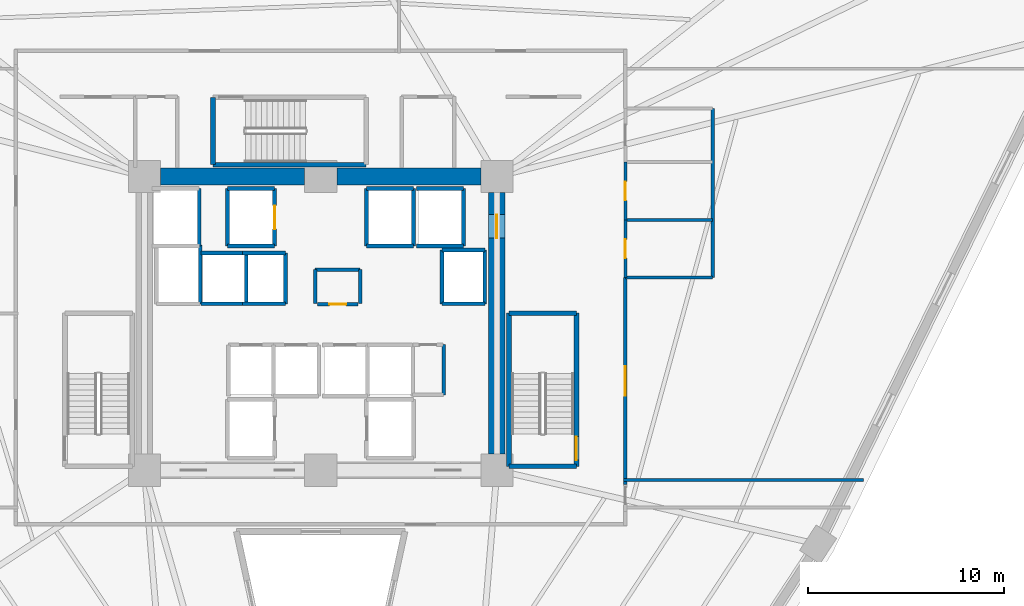
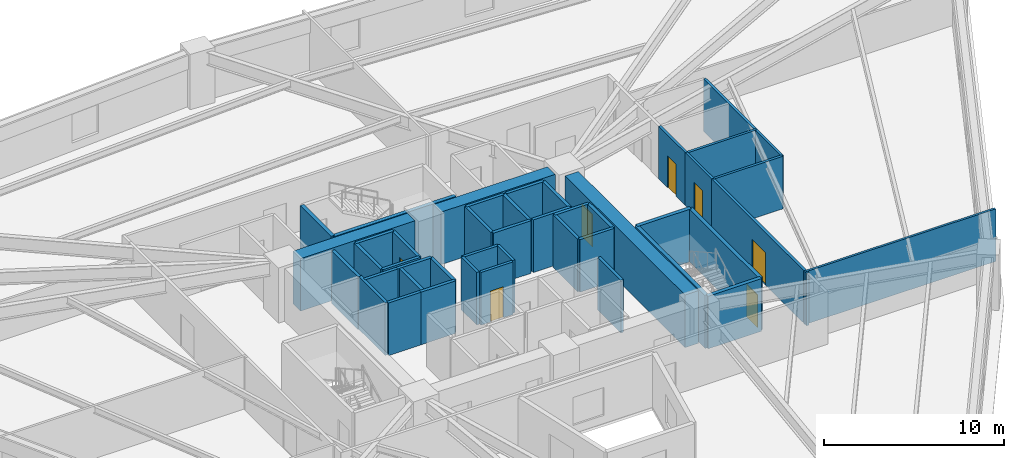
# One storey, part 5 of 8: 44 walls, 7 doors, 7 openings.
"""IFC4 building model written with IfcOpenShell, lengths in metres."""

import ifcopenshell
import ifcopenshell.guid

model = None  # the IFC model being written
_history = None  # IfcOwnerHistory: only IFC2X3 demands one
_inside = {}  # id of a spatial element -> (the spatial element, [elements in it])
_under = {}  # id of a project, library or spatial element -> (it, [spatial elements below it])
_declared = {}  # id of a project -> (the project, [libraries it declares])
_typed = {}  # id of a type object -> (the type object, [elements of that type])
_made_of = {}  # id of a material, layer set ... -> (it, [elements and type objects made of it])


def new_model(schema):
    """Start an empty IFC model of exactly this schema.

    Asked for "IFC4X3", IfcOpenShell would pick the latest addendum, in which some entities
    have other attributes; the version numbers below select the first issue.
    IFC2X3 requires an IfcOwnerHistory on every rooted entity: one is made here for all.
    """
    global model, _history
    if schema == "IFC4X3":
        model = ifcopenshell.file(schema_version=(4, 3, 0, 0))
    else:
        model = ifcopenshell.file(schema=schema)
    _inside.clear()
    _under.clear()
    _declared.clear()
    _typed.clear()
    _made_of.clear()
    _history = None
    if model.schema == "IFC2X3":
        org = make("IfcOrganization", Name="unknown")
        user = make(
            "IfcPersonAndOrganization",
            ThePerson=make("IfcPerson", FamilyName="unknown"),
            TheOrganization=org,
        )
        app = make(
            "IfcApplication",
            ApplicationDeveloper=org,
            Version="unknown",
            ApplicationFullName="unknown",
            ApplicationIdentifier="unknown",
        )
        _history = make(
            "IfcOwnerHistory",
            OwningUser=user,
            OwningApplication=app,
            ChangeAction="ADDED",
            CreationDate=0,
        )
    return model


def make(cls, **values):
    """One entity of the class cls with the attributes given. An attribute that is None is left unset."""
    return model.create_entity(
        cls, **{name: value for name, value in values.items() if value is not None}
    )


def rooted(cls, **values):
    """An entity with a GlobalId (a new one), such as an element, a storey or a relation."""
    return make(cls, GlobalId=ifcopenshell.guid.new(), OwnerHistory=_history, **values)


def si_unit(unit_type, name, prefix=None):
    """IfcSIUnit, for example si_unit("LENGTHUNIT", "METRE", prefix="MILLI")."""
    return make("IfcSIUnit", UnitType=unit_type, Prefix=prefix, Name=name)


def assignment(units):
    """IfcUnitAssignment: the units of a project."""
    return None if units is None else make("IfcUnitAssignment", Units=units)


def point(xyz):
    """IfcCartesianPoint."""
    return None if xyz is None else make("IfcCartesianPoint", Coordinates=xyz)


def direction(xyz):
    """IfcDirection."""
    return None if xyz is None else make("IfcDirection", DirectionRatios=xyz)


def frame(location, z_axis=None, x_axis=None):
    """IfcAxis2Placement3D, a coordinate frame: its origin and axes. An axis left out is left unset."""
    return make(
        "IfcAxis2Placement3D",
        Location=point(location),
        Axis=direction(z_axis),
        RefDirection=direction(x_axis),
    )


def frame_2d(location, x_axis=None):
    """IfcAxis2Placement2D, a coordinate frame in the plane: its origin and x axis."""
    return make(
        "IfcAxis2Placement2D", Location=point(location), RefDirection=direction(x_axis)
    )


def origin():
    """The frame at (0, 0, 0) with its axes left unset."""
    return frame((0.0, 0.0, 0.0))


def place(relative_to, where):
    """IfcLocalPlacement: puts the frame where relative to a parent placement (None: the world)."""
    return make(
        "IfcLocalPlacement", PlacementRelTo=relative_to, RelativePlacement=where
    )


def context(
    kind, dimensions, precision=None, world=None, true_north=None, identifier=None
):
    """IfcGeometricRepresentationContext, for example the 3D "Model" context."""
    return make(
        "IfcGeometricRepresentationContext",
        ContextIdentifier=identifier,
        ContextType=kind,
        CoordinateSpaceDimension=dimensions,
        Precision=precision,
        WorldCoordinateSystem=world,
        TrueNorth=true_north,
    )


def subcontext(parent, identifier, kind, view, scale=None):
    """IfcGeometricRepresentationSubContext, for example "Body" below "Model"."""
    return make(
        "IfcGeometricRepresentationSubContext",
        ContextIdentifier=identifier,
        ContextType=kind,
        ParentContext=parent,
        TargetScale=scale,
        TargetView=view,
    )


def project(units=None, contexts=None):
    """IfcProject with its units and contexts."""
    return rooted(
        "IfcProject",
        Name="project",
        RepresentationContexts=contexts,
        UnitsInContext=assignment(units),
    )


def spatial(cls, under=None, at=None, **own):
    """A site, building, storey or space (cls), placed at a placement, below another one or the project."""
    s = rooted(cls, ObjectPlacement=at, **own)
    if under is not None:
        _under.setdefault(under.id(), (under, []))[1].append(s)
    return s


def profile(cls, at=None, kind="AREA", **sizes):
    """A parametric profile (cls). Its sizes go by their IFC names, for example OverallWidth=200.0."""
    return make(cls, ProfileType=kind, Position=at, **sizes)


def rectangle(**sizes):
    """IfcRectangleProfileDef."""
    return profile("IfcRectangleProfileDef", **sizes)


def extrude(swept, where, along, depth):
    """IfcExtrudedAreaSolid: the profile swept, set in the frame where, extruded along a direction by depth."""
    return make(
        "IfcExtrudedAreaSolid",
        SweptArea=swept,
        Position=where,
        ExtrudedDirection=direction(along),
        Depth=depth,
    )


def shape(context_of_items, identifier, shape_type, items):
    """IfcShapeRepresentation: the items that make up one representation, for example the "Body"."""
    return make(
        "IfcShapeRepresentation",
        ContextOfItems=context_of_items,
        RepresentationIdentifier=identifier,
        RepresentationType=shape_type,
        Items=items,
    )


def source(mapping_origin, context_of_items, identifier, shape_type, items):
    """IfcRepresentationMap: a shape defined once, which mapped items show again and again."""
    return make(
        "IfcRepresentationMap",
        MappingOrigin=mapping_origin,
        MappedRepresentation=shape(context_of_items, identifier, shape_type, items),
    )


def transform(
    local_origin,
    x_axis=None,
    y_axis=None,
    z_axis=None,
    scale=None,
    scale2=None,
    scale3=None,
    uniform=True,
):
    """IfcCartesianTransformationOperator3D, or its non-uniform kind. x_axis, y_axis, z_axis: its Axis1, 2, 3."""
    if uniform:
        return make(
            "IfcCartesianTransformationOperator3D",
            Axis1=direction(x_axis),
            Axis2=direction(y_axis),
            LocalOrigin=point(local_origin),
            Scale=scale,
            Axis3=direction(z_axis),
        )
    return make(
        "IfcCartesianTransformationOperator3DnonUniform",
        Axis1=direction(x_axis),
        Axis2=direction(y_axis),
        LocalOrigin=point(local_origin),
        Scale=scale,
        Axis3=direction(z_axis),
        Scale2=scale2,
        Scale3=scale3,
    )


def mapped(mapping_source, mapping_target):
    """IfcMappedItem: shows the shape of a source again, moved by a transform."""
    return make(
        "IfcMappedItem", MappingSource=mapping_source, MappingTarget=mapping_target
    )


def material(Name=None, Category=None):
    """IfcMaterial."""
    return make("IfcMaterial", Name=Name, Category=Category)


def layer(
    of_material, thickness, ventilated=None, Name=None, Category=None, Priority=None
):
    """IfcMaterialLayer: one layer of a wall or slab, of a material (None: an air gap)."""
    return make(
        "IfcMaterialLayer",
        Material=of_material,
        LayerThickness=thickness,
        IsVentilated=ventilated,
        Name=Name,
        Category=Category,
        Priority=Priority,
    )


def layer_set(layers, Name=None):
    """IfcMaterialLayerSet."""
    return make("IfcMaterialLayerSet", MaterialLayers=layers, LayerSetName=Name)


def made_of(thing, what):
    """Note that an element or type object is made of a material, layer set ...; save() writes the relation."""
    if what is not None:
        _made_of.setdefault(what.id(), (what, []))[1].append(thing)
    return thing


def type_object(cls, material=None, **own):
    """A type object (cls), such as IfcWallType, which elements share."""
    return made_of(rooted(cls, **own), material)


def element(
    cls,
    number,
    at=None,
    inside=None,
    cuts=None,
    type_object=None,
    material=None,
    context=None,
    identifier="Body",
    shape_type=None,
    held_by="IfcProductDefinitionShape",
    body=None,
    shapes=None,
    **own,
):
    """One element of the class cls, such as IfcWall. Its Tag is "e" and its number.

    at: its placement. inside: the storey or other place that contains it. cuts: it is an
    opening in that element (IfcRelVoidsElement). A single representation is given by context,
    identifier, shape_type and body (its items); several are given by shapes. held_by: the class
    of the entity that holds the representations. save() writes the other relations.
    """
    e = rooted(cls, Tag="e%d" % number, ObjectPlacement=at, **own)
    if body is not None:
        shapes = [shape(context, identifier, shape_type, body)]
    if shapes is not None:
        e.Representation = make(held_by, Representations=shapes)
    if inside is not None:
        _inside.setdefault(inside.id(), (inside, []))[1].append(e)
    if cuts is not None:
        rooted(
            "IfcRelVoidsElement", RelatingBuildingElement=cuts, RelatedOpeningElement=e
        )
    if type_object is not None:
        _typed.setdefault(type_object.id(), (type_object, []))[1].append(e)
    return made_of(e, material)


def fill(opening, filler):
    """IfcRelFillsElement: the door or window that sits in an opening."""
    return rooted(
        "IfcRelFillsElement",
        RelatingOpeningElement=opening,
        RelatedBuildingElement=filler,
    )


def aggregate(whole, parts):
    """IfcRelAggregates: a whole, such as a stair, and the parts it consists of."""
    return rooted("IfcRelAggregates", RelatingObject=whole, RelatedObjects=parts)


def save(model, path):
    """Write the relations noted so far, then the file.

    IfcRelAggregates (storeys below a building ...), IfcRelContainedInSpatialStructure (elements
    in a storey), IfcRelDefinesByType, IfcRelAssociatesMaterial and IfcRelDeclares: one each for
    every whole, place, type object, material and project.
    """
    for whole, parts in _under.values():
        aggregate(whole, parts)
    for where, things in _inside.values():
        rooted(
            "IfcRelContainedInSpatialStructure",
            RelatedElements=things,
            RelatingStructure=where,
        )
    for kind, things in _typed.values():
        rooted("IfcRelDefinesByType", RelatedObjects=things, RelatingType=kind)
    for what, things in _made_of.values():
        rooted("IfcRelAssociatesMaterial", RelatedObjects=things, RelatingMaterial=what)
    for by, libraries in _declared.values():
        rooted("IfcRelDeclares", RelatingContext=by, RelatedDefinitions=libraries)
    model.write(path)


model = new_model("IFC4")

# Units and contexts
model_context = context("Model", 3, precision=1e-05, world=origin(), true_north=direction((0.0, 1.0)))
body_context = subcontext(model_context, "Body", "Model", "MODEL_VIEW")
ifc_project = project(units=[si_unit("LENGTHUNIT", "METRE"), si_unit("AREAUNIT", "SQUARE_METRE"), si_unit("VOLUMEUNIT", "CUBIC_METRE"), si_unit("PLANEANGLEUNIT", "RADIAN"), si_unit("MASSUNIT", "GRAM", prefix="KILO")], contexts=[model_context])

# Site, building, storey
site_placement = place(None, origin())
site = spatial("IfcSite", under=ifc_project, at=site_placement, CompositionType="ELEMENT")
building_placement = place(site_placement, origin())
building = spatial("IfcBuilding", under=site, at=building_placement, Name="Liaohun Quay Tower", CompositionType="ELEMENT")
storey_placement = place(building_placement, frame((0.0, 0.0, 66.75)))
storey = spatial("IfcBuildingStorey", under=building, at=storey_placement, Name="L17", CompositionType="ELEMENT", Elevation=66.75)

# Walls
ifc_material_1 = material(Name="Concrete C60", Category="concrete")
ifc_layer_1 = layer(ifc_material_1, 0.85009765625, Name="Concrete C60", Category="concrete")
ifc_layer_set_1 = layer_set([ifc_layer_1], Name="Concrete C60")
wall_type_1 = type_object("IfcWallType", Name="WAL-COR-Z1", PredefinedType="SHEAR", material=ifc_layer_set_1)
for number, where, z_axis, x_axis, name in (
    (1, (51.824951171875, 61.5, 0.0), (0.0, 0.0, 1.0), (1.0, 0.0, 0.0), "L17 Central Core Shear Wall N-W"),
    (2, (60.824951171875, 61.5, 0.0), (0.0, 0.0, 1.0), (1.0, 0.0, 0.0), "L17 Central Core Shear Wall N-E"),
):
    element("IfcWall", number, at=place(storey_placement, frame(where, z_axis=z_axis, x_axis=x_axis)), inside=storey, type_object=wall_type_1, Name=name, PredefinedType="SHEAR", context=body_context, shape_type="SweptSolid", body=[
        extrude(rectangle(XDim=7.35009765625, YDim=0.85009765625, at=frame_2d((3.675048828125, 0.0))), origin(), (0.0, 0.0, 1.0), 3.570068359375),
    ])

# Wall, opening, door
wall_1_placement = place(storey_placement, frame((69.0, 60.675048828125, 0.0), z_axis=(0.0, 0.0, 1.0), x_axis=(0.0, -1.0, 0.0)))
wall_1 = element("IfcWall", 3, at=wall_1_placement, inside=storey, type_object=wall_type_1, Name="L17 Central Core Shear Wall E", PredefinedType="SHEAR", context=body_context, shape_type="SweptSolid", body=[
    extrude(rectangle(XDim=13.35009765625, YDim=0.85009765625, at=frame_2d((6.675048828125, 0.0))), origin(), (0.0, 0.0, 1.0), 3.570068359375),
])
shared_shape_1 = source(origin(), body_context, "Body", "SweptSolid", [
    extrude(rectangle(XDim=1.199951171875, YDim=2.199951171875, at=frame_2d((0.60009765625, 1.10009765625))), frame((0.0, 0.43505859375, 0.0), z_axis=(0.0, -1.0, 0.0), x_axis=(1.0, 0.0, 0.0)), (0.0, 0.0, 1.0), 0.8701171875),
])
opening_1_placement = place(wall_1_placement, frame((1.125, 0.0, 0.0)))
opening_1 = element("IfcOpeningElement", 4, at=opening_1_placement, cuts=wall_1, Name="Opening SD1", PredefinedType="OPENING", context=body_context, shape_type="MappedRepresentation", body=[
    mapped(shared_shape_1, transform((0.0, 0.0, 0.0), x_axis=(1.0, 0.0, 0.0), y_axis=(0.0, 1.0, 0.0), z_axis=(0.0, 0.0, 1.0), scale=1.0)),
])
ifc_material_2 = material(Name="Galvanised steel fire door", Category="steel")
door_type_1 = type_object("IfcDoorType", Name="DOR-STR-1200", OperationType="NOTDEFINED", PredefinedType="DOOR", material=ifc_material_2)
shared_shape_2 = source(origin(), body_context, "Body", "SweptSolid", [
    extrude(rectangle(XDim=1.199951171875, YDim=2.199951171875, at=frame_2d((0.60009765625, 1.10009765625))), frame((0.0, 0.02490234375, 0.0), z_axis=(0.0, -1.0, 0.0), x_axis=(1.0, 0.0, 0.0)), (0.0, 0.0, 1.0), 0.050048828125),
])
door_1_placement = place(opening_1_placement, origin())
door_1 = element("IfcDoor", 5, at=door_1_placement, inside=storey, type_object=door_type_1, Name="L17 North-East Core Lobby Smokeproof Door", OperationType="SINGLE_SWING_LEFT", OverallHeight=2.199951171875, OverallWidth=1.199951171875, PredefinedType="DOOR", context=body_context, shape_type="MappedRepresentation", body=[
    mapped(shared_shape_2, transform((0.0, 0.0, 0.0), x_axis=(1.0, 0.0, 0.0), y_axis=(0.0, 1.0, 0.0), z_axis=(0.0, 0.0, 1.0), scale=1.0)),
])
fill(opening_1, door_1)

ifc_material_3 = material(Name="Autoclaved aerated concrete blockwork", Category="masonry")
ifc_layer_2 = layer(ifc_material_3, 0.179931640625, Name="Autoclaved aerated concrete blockwork", Category="masonry")
ifc_layer_set_2 = layer_set([ifc_layer_2], Name="Autoclaved aerated concrete blockwork")
wall_type_2 = type_object("IfcWallType", Name="WAL-PRT-COR", PredefinedType="PARTITIONING", material=ifc_layer_set_2)
wall_2_placement = place(storey_placement, frame((59.840087890625, 54.97998046875, 0.0), z_axis=(0.0, 0.0, 1.0), x_axis=(1.0, 0.0, 0.0)))
wall_2 = element("IfcWall", 6, at=wall_2_placement, inside=storey, type_object=wall_type_2, Name="L17 Interior Partition Wall 001", PredefinedType="PARTITIONING", context=body_context, shape_type="SweptSolid", body=[
    extrude(rectangle(XDim=2.059814453125, YDim=0.179931640625, at=frame_2d((1.02978515625, 0.0))), origin(), (0.0, 0.0, 1.0), 3.570068359375),
])
shared_shape_3 = source(origin(), body_context, "Body", "SweptSolid", [
    extrude(rectangle(XDim=0.85009765625, YDim=2.10009765625, at=frame_2d((0.425048828125, 1.050048828125))), frame((0.0, 0.099853515625, 0.0), z_axis=(0.0, -1.0, 0.0), x_axis=(1.0, 0.0, 0.0)), (0.0, 0.0, 1.0), 0.199951171875),
])
opening_2_placement = place(wall_2_placement, frame((0.60498046875, 0.0, 0.0)))
opening_2 = element("IfcOpeningElement", 7, at=opening_2_placement, cuts=wall_2, Name="Opening AD1", PredefinedType="OPENING", context=body_context, shape_type="MappedRepresentation", body=[
    mapped(shared_shape_3, transform((0.0, 0.0, 0.0), x_axis=(1.0, 0.0, 0.0), y_axis=(0.0, 1.0, 0.0), z_axis=(0.0, 0.0, 1.0), scale=1.0)),
])
ifc_material_4 = material(Name="Steel riser inspection fire door", Category="steel")
door_type_2 = type_object("IfcDoorType", Name="DOR-SHF-850", OperationType="NOTDEFINED", PredefinedType="DOOR", material=ifc_material_4)
shared_shape_4 = source(origin(), body_context, "Body", "SweptSolid", [
    extrude(rectangle(XDim=0.85009765625, YDim=2.10009765625, at=frame_2d((0.425048828125, 1.050048828125))), frame((0.0, 0.02490234375, 0.0), z_axis=(0.0, -1.0, 0.0), x_axis=(1.0, 0.0, 0.0)), (0.0, 0.0, 1.0), 0.050048828125),
])
door_2_placement = place(opening_2_placement, origin())
door_2 = element("IfcDoor", 8, at=door_2_placement, inside=storey, type_object=door_type_2, Name="L17 Electrical Meter Room Door", OperationType="SINGLE_SWING_LEFT", OverallHeight=2.10009765625, OverallWidth=0.85009765625, PredefinedType="DOOR", context=body_context, shape_type="MappedRepresentation", body=[
    mapped(shared_shape_4, transform((0.0, 0.0, 0.0), x_axis=(1.0, 0.0, 0.0), y_axis=(0.0, 1.0, 0.0), z_axis=(0.0, 0.0, 1.0), scale=1.0)),
])
fill(opening_2, door_2)

wall_3_placement = place(storey_placement, frame((75.56005859375, 56.340087890625, 0.0), z_axis=(0.0, 0.0, 1.0), x_axis=(0.0, -1.0, 0.0)))
wall_3 = element("IfcWall", 9, at=wall_3_placement, inside=storey, type_object=wall_type_2, Name="L17 Interior Partition Wall 010", PredefinedType="PARTITIONING", context=body_context, shape_type="SweptSolid", body=[
    extrude(rectangle(XDim=10.55517578125, YDim=0.179931640625, at=frame_2d((5.277587890625, 0.0))), origin(), (0.0, 0.0, 1.0), 3.570068359375),
])
shared_shape_5 = source(origin(), body_context, "Body", "SweptSolid", [
    extrude(rectangle(XDim=1.5, YDim=2.199951171875, at=frame_2d((0.75, 1.10009765625))), frame((0.0, 0.099853515625, 0.0), z_axis=(0.0, -1.0, 0.0), x_axis=(1.0, 0.0, 0.0)), (0.0, 0.0, 1.0), 0.199951171875),
])
opening_3_placement = place(wall_3_placement, frame((4.528076171875, 0.0, 0.0)))
opening_3 = element("IfcOpeningElement", 10, at=opening_3_placement, cuts=wall_3, Name="Opening OD2", PredefinedType="OPENING", context=body_context, shape_type="MappedRepresentation", body=[
    mapped(shared_shape_5, transform((0.0, 0.0, 0.0), x_axis=(1.0, 0.0, 0.0), y_axis=(0.0, 1.0, 0.0), z_axis=(0.0, 0.0, 1.0), scale=1.0)),
])
ifc_material_5 = material(Name="Acoustic oak veneer double door")
door_type_3 = type_object("IfcDoorType", Name="DOR-OFF-1500", OperationType="DOUBLE_DOOR_SINGLE_SWING", PredefinedType="DOOR", material=ifc_material_5)
shared_shape_6 = source(origin(), body_context, "Body", "SweptSolid", [
    extrude(rectangle(XDim=1.5, YDim=2.199951171875, at=frame_2d((0.75, 1.10009765625))), frame((0.0, 0.02490234375, 0.0), z_axis=(0.0, -1.0, 0.0), x_axis=(1.0, 0.0, 0.0)), (0.0, 0.0, 1.0), 0.050048828125),
])
door_3_placement = place(opening_3_placement, origin())
door_3 = element("IfcDoor", 11, at=door_3_placement, inside=storey, type_object=door_type_3, Name="L17 Architectural Design Studio 01 Door", OperationType="DOUBLE_DOOR_SINGLE_SWING", OverallHeight=2.199951171875, OverallWidth=1.5, PredefinedType="DOOR", context=body_context, shape_type="MappedRepresentation", body=[
    mapped(shared_shape_6, transform((0.0, 0.0, 0.0), x_axis=(1.0, 0.0, 0.0), y_axis=(0.0, 1.0, 0.0), z_axis=(0.0, 0.0, 1.0), scale=1.0)),
])
fill(opening_3, door_3)

# Walls
for number, where, z_axis, x_axis, name in (
    (12, (59.719970703125, 55.02001953125, 0.0), (0.0, 0.0, 1.0), (0.0, 1.0, 0.0), "L17 Interior Partition Wall 017"),
    (13, (62.010009765625, 55.02001953125, 0.0), (0.0, 0.0, 1.0), (0.0, 1.0, 0.0), "L17 Interior Partition Wall 018"),
):
    element("IfcWall", number, at=place(storey_placement, frame(where, z_axis=z_axis, x_axis=x_axis)), inside=storey, type_object=wall_type_2, Name=name, PredefinedType="PARTITIONING", context=body_context, shape_type="SweptSolid", body=[
        extrude(rectangle(XDim=1.72998046875, YDim=0.179931640625, at=frame_2d((0.864990234375, 0.0))), origin(), (0.0, 0.0, 1.0), 3.570068359375),
    ])
wall_4_placement = place(storey_placement, frame((59.719970703125, 56.75, 0.0), z_axis=(0.0, 0.0, 1.0), x_axis=(1.0, 0.0, 0.0)))
element("IfcWall", 14, at=wall_4_placement, inside=storey, type_object=wall_type_2, Name="L17 Interior Partition Wall 019", PredefinedType="PARTITIONING", context=body_context, shape_type="SweptSolid", body=[
    extrude(rectangle(XDim=2.2900390625, YDim=0.179931640625, at=frame_2d((1.14501953125, 0.0))), origin(), (0.0, 0.0, 1.0), 3.570068359375),
])
wall_5_placement = place(storey_placement, frame((66.280029296875, 50.35009765625, 0.0), z_axis=(0.0, 0.0, 1.0), x_axis=(0.0, 1.0, 0.0)))
element("IfcWall", 15, at=wall_5_placement, inside=storey, type_object=wall_type_2, Name="L17 Interior Partition Wall 021", PredefinedType="PARTITIONING", context=body_context, shape_type="SweptSolid", body=[
    extrude(rectangle(XDim=2.56982421875, YDim=0.179931640625, at=frame_2d((1.284912109375, 0.0))), origin(), (0.0, 0.0, 1.0), 3.570068359375),
])
ifc_material_6 = material(Name="Gypsum board on twin steel studs", Category="steel")
ifc_layer_3 = layer(ifc_material_6, 0.139892578125, Name="Gypsum board on twin steel studs", Category="steel")
ifc_layer_set_3 = layer_set([ifc_layer_3], Name="Gypsum board on twin steel studs")
wall_type_3 = type_object("IfcWallType", Name="WAL-PRT-OFF", PredefinedType="PARTITIONING", material=ifc_layer_set_3)
wall_6_placement = place(storey_placement, frame((75.4599609375, 46.0, 0.0), z_axis=(0.0, 0.0, 1.0), x_axis=(1.0, 0.0, 0.0)))
element("IfcWall", 16, at=wall_6_placement, inside=storey, type_object=wall_type_3, Name="L17 Interior Partition Wall 040", PredefinedType="PARTITIONING", context=body_context, shape_type="SweptSolid", body=[
    extrude(rectangle(XDim=12.255126953125, YDim=0.139892578125, at=frame_2d((6.12744140625, 0.0))), origin(), (0.0, 0.0, 1.0), 3.570068359375),
])

# Wall, opening, door
ifc_material_7 = material(Name="Moisture-resistant masonry blockwork", Category="masonry")
ifc_layer_4 = layer(ifc_material_7, 0.159912109375, Name="Moisture-resistant masonry blockwork", Category="masonry")
ifc_layer_set_4 = layer_set([ifc_layer_4], Name="Moisture-resistant masonry blockwork")
wall_type_4 = type_object("IfcWallType", Name="WAL-PRT-WET", PredefinedType="PARTITIONING", material=ifc_layer_set_4)
wall_7_placement = place(storey_placement, frame((75.56005859375, 56.340087890625, 0.0), z_axis=(0.0, 0.0, 1.0), x_axis=(0.0, 1.0, 0.0)))
wall_7 = element("IfcWall", 17, at=wall_7_placement, inside=storey, type_object=wall_type_4, Name="L17 Interior Partition Wall 003", PredefinedType="PARTITIONING", context=body_context, shape_type="SweptSolid", body=[
    extrude(rectangle(XDim=2.93994140625, YDim=0.159912109375, at=frame_2d((1.469970703125, 0.0))), origin(), (0.0, 0.0, 1.0), 3.570068359375),
])
shared_shape_7 = source(origin(), body_context, "Body", "SweptSolid", [
    extrude(rectangle(XDim=0.949951171875, YDim=2.14990234375, at=frame_2d((0.47509765625, 1.074951171875))), frame((0.0, 0.08984375, 0.0), z_axis=(0.0, -1.0, 0.0), x_axis=(1.0, 0.0, 0.0)), (0.0, 0.0, 1.0), 0.179931640625),
])
opening_4_placement = place(wall_7_placement, frame((0.9951171875, 0.0, 0.0)))
opening_4 = element("IfcOpeningElement", 18, at=opening_4_placement, cuts=wall_7, Name="Opening WD1", PredefinedType="OPENING", context=body_context, shape_type="MappedRepresentation", body=[
    mapped(shared_shape_7, transform((0.0, 0.0, 0.0), x_axis=(1.0, 0.0, 0.0), y_axis=(0.0, 1.0, 0.0), z_axis=(0.0, 0.0, 1.0), scale=1.0)),
])
ifc_material_8 = material(Name="Moisture-resistant laminate timber leaf", Category="wood")
door_type_4 = type_object("IfcDoorType", Name="DOR-WC-950", OperationType="NOTDEFINED", PredefinedType="DOOR", material=ifc_material_8)
shared_shape_8 = source(origin(), body_context, "Body", "SweptSolid", [
    extrude(rectangle(XDim=0.949951171875, YDim=2.14990234375, at=frame_2d((0.47509765625, 1.074951171875))), frame((0.0, 0.02490234375, 0.0), z_axis=(0.0, -1.0, 0.0), x_axis=(1.0, 0.0, 0.0)), (0.0, 0.0, 1.0), 0.050048828125),
])
door_4_placement = place(opening_4_placement, origin())
door_4 = element("IfcDoor", 19, at=door_4_placement, inside=storey, type_object=door_type_4, Name="L17 Male Restroom WC Door", OperationType="SINGLE_SWING_LEFT", OverallHeight=2.14990234375, OverallWidth=0.949951171875, PredefinedType="DOOR", context=body_context, shape_type="MappedRepresentation", body=[
    mapped(shared_shape_8, transform((0.0, 0.0, 0.0), x_axis=(1.0, 0.0, 0.0), y_axis=(0.0, 1.0, 0.0), z_axis=(0.0, 0.0, 1.0), scale=1.0)),
])
fill(opening_4, door_4)

wall_8_placement = place(storey_placement, frame((75.56005859375, 59.280029296875, 0.0), z_axis=(0.0, 0.0, 1.0), x_axis=(0.0, 1.0, 0.0)))
wall_8 = element("IfcWall", 20, at=wall_8_placement, inside=storey, type_object=wall_type_4, Name="L17 Interior Partition Wall 004", PredefinedType="PARTITIONING", context=body_context, shape_type="SweptSolid", body=[
    extrude(rectangle(XDim=2.9599609375, YDim=0.159912109375, at=frame_2d((1.47998046875, 0.0))), origin(), (0.0, 0.0, 1.0), 3.570068359375),
])
opening_5_placement = place(wall_8_placement, frame((1.0048828125, 0.0, 0.0)))
opening_5 = element("IfcOpeningElement", 21, at=opening_5_placement, cuts=wall_8, Name="Opening WD1", PredefinedType="OPENING", context=body_context, shape_type="MappedRepresentation", body=[
    mapped(shared_shape_7, transform((0.0, 0.0, 0.0), x_axis=(1.0, 0.0, 0.0), y_axis=(0.0, 1.0, 0.0), z_axis=(0.0, 0.0, 1.0), scale=1.0)),
])
door_5_placement = place(opening_5_placement, origin())
door_5 = element("IfcDoor", 22, at=door_5_placement, inside=storey, type_object=door_type_4, Name="L17 Female Restroom WC Door", OperationType="SINGLE_SWING_RIGHT", OverallHeight=2.14990234375, OverallWidth=0.949951171875, PredefinedType="DOOR", context=body_context, shape_type="MappedRepresentation", body=[
    mapped(shared_shape_8, transform((0.0, 0.0, 0.0), x_axis=(1.0, 0.0, 0.0), y_axis=(0.0, 1.0, 0.0), z_axis=(0.0, 0.0, 1.0), scale=1.0)),
])
fill(opening_5, door_5)

# Walls
wall_9_placement = place(storey_placement, frame((80.02001953125, 56.340087890625, 0.0), z_axis=(0.0, 0.0, 1.0), x_axis=(0.0, 1.0, 0.0)))
element("IfcWall", 23, at=wall_9_placement, inside=storey, type_object=wall_type_4, Name="L17 Interior Partition Wall 022", PredefinedType="PARTITIONING", context=body_context, shape_type="SweptSolid", body=[
    extrude(rectangle(XDim=8.639892578125, YDim=0.159912109375, at=frame_2d((4.31982421875, 0.0))), origin(), (0.0, 0.0, 1.0), 3.570068359375),
])
for number, where, z_axis, x_axis, name in (
    (24, (75.56005859375, 56.340087890625, 0.0), (0.0, 0.0, 1.0), (1.0, 0.0, 0.0), "L17 Interior Partition Wall 023"),
    (25, (75.56005859375, 59.280029296875, 0.0), (0.0, 0.0, 1.0), (1.0, 0.0, 0.0), "L17 Interior Partition Wall 024"),
):
    element("IfcWall", number, at=place(storey_placement, frame(where, z_axis=z_axis, x_axis=x_axis)), inside=storey, type_object=wall_type_4, Name=name, PredefinedType="PARTITIONING", context=body_context, shape_type="SweptSolid", body=[
        extrude(rectangle(XDim=4.4599609375, YDim=0.159912109375, at=frame_2d((2.22998046875, 0.0))), origin(), (0.0, 0.0, 1.0), 3.570068359375),
    ])
ifc_material_9 = material(Name="Concrete C50", Category="concrete")
ifc_layer_5 = layer(ifc_material_9, 0.239990234375, Name="Concrete C50", Category="concrete")
ifc_layer_set_5 = layer_set([ifc_layer_5], Name="Concrete C50")
wall_type_5 = type_object("IfcWallType", Name="WAL-SHF-200", PredefinedType="SOLIDWALL", material=ifc_layer_set_5)
wall_10_placement = place(storey_placement, frame((69.6201171875, 46.699951171875, 0.0), z_axis=(0.0, 0.0, 1.0), x_axis=(1.0, 0.0, 0.0)))
element("IfcWall", 26, at=wall_10_placement, inside=storey, type_object=wall_type_5, Name="L17 Stairwell ST-2 Structural Core Wall S", PredefinedType="SOLIDWALL", context=body_context, shape_type="SweptSolid", body=[
    extrude(rectangle(XDim=3.43994140625, YDim=0.239990234375, at=frame_2d((1.719970703125, 0.0))), origin(), (0.0, 0.0, 1.0), 3.570068359375),
])

# Wall, opening, door
wall_11_placement = place(storey_placement, frame((73.06005859375, 46.699951171875, 0.0), z_axis=(0.0, 0.0, 1.0), x_axis=(0.0, 1.0, 0.0)))
wall_11 = element("IfcWall", 27, at=wall_11_placement, inside=storey, type_object=wall_type_5, Name="L17 Stairwell ST-2 Structural Core Wall E", PredefinedType="SOLIDWALL", context=body_context, shape_type="SweptSolid", body=[
    extrude(rectangle(XDim=7.820068359375, YDim=0.239990234375, at=frame_2d((3.91015625, 0.0))), origin(), (0.0, 0.0, 1.0), 3.570068359375),
])
shared_shape_9 = source(origin(), body_context, "Body", "SweptSolid", [
    extrude(rectangle(XDim=1.199951171875, YDim=2.199951171875, at=frame_2d((0.60009765625, 1.10009765625))), frame((0.0, 0.1298828125, 0.0), z_axis=(0.0, -1.0, 0.0), x_axis=(1.0, 0.0, 0.0)), (0.0, 0.0, 1.0), 0.260009765625),
])
opening_6_placement = place(wall_11_placement, frame((0.320068359375, 0.0, 0.0)))
opening_6 = element("IfcOpeningElement", 28, at=opening_6_placement, cuts=wall_11, Name="Opening SD1", PredefinedType="OPENING", context=body_context, shape_type="MappedRepresentation", body=[
    mapped(shared_shape_9, transform((0.0, 0.0, 0.0), x_axis=(1.0, 0.0, 0.0), y_axis=(0.0, 1.0, 0.0), z_axis=(0.0, 0.0, 1.0), scale=1.0)),
])
door_6_placement = place(opening_6_placement, origin())
door_6 = element("IfcDoor", 29, at=door_6_placement, inside=storey, type_object=door_type_1, Name="L17 Protected Stair ST-2 Fire Door", OperationType="SINGLE_SWING_RIGHT", OverallHeight=2.199951171875, OverallWidth=1.199951171875, PredefinedType="DOOR", context=body_context, shape_type="MappedRepresentation", body=[
    mapped(shared_shape_2, transform((0.0, 0.0, 0.0), x_axis=(1.0, 0.0, 0.0), y_axis=(0.0, 1.0, 0.0), z_axis=(0.0, 0.0, 1.0), scale=1.0)),
])
fill(opening_6, door_6)

# Walls
wall_12_placement = place(storey_placement, frame((73.06005859375, 54.52001953125, 0.0), z_axis=(0.0, 0.0, 1.0), x_axis=(-1.0, 0.0, 0.0)))
element("IfcWall", 30, at=wall_12_placement, inside=storey, type_object=wall_type_5, Name="L17 Stairwell ST-2 Structural Core Wall N", PredefinedType="SOLIDWALL", context=body_context, shape_type="SweptSolid", body=[
    extrude(rectangle(XDim=3.43994140625, YDim=0.239990234375, at=frame_2d((1.719970703125, 0.0))), origin(), (0.0, 0.0, 1.0), 3.570068359375),
])
for number, where, z_axis, x_axis, name in (
    (31, (69.6201171875, 54.52001953125, 0.0), (0.0, 0.0, 1.0), (0.0, -1.0, 0.0), "L17 Stairwell ST-2 Structural Core Wall W"),
    (32, (54.5, 62.10009765625, 0.0), (0.0, 0.0, 1.0), (1.0, 0.0, 0.0), "L17 Stairwell ST-3 Structural Core Wall S"),
):
    element("IfcWall", number, at=place(storey_placement, frame(where, z_axis=z_axis, x_axis=x_axis)), inside=storey, type_object=wall_type_5, Name=name, PredefinedType="SOLIDWALL", context=body_context, shape_type="SweptSolid", body=[
        extrude(rectangle(XDim=7.820068359375, YDim=0.239990234375, at=frame_2d((3.91015625, 0.0))), origin(), (0.0, 0.0, 1.0), 3.570068359375),
    ])
wall_13_placement = place(storey_placement, frame((54.5, 65.5400390625, 0.0), z_axis=(0.0, 0.0, 1.0), x_axis=(0.0, -1.0, 0.0)))
element("IfcWall", 33, at=wall_13_placement, inside=storey, type_object=wall_type_5, Name="L17 Stairwell ST-3 Structural Core Wall W", PredefinedType="SOLIDWALL", context=body_context, shape_type="SweptSolid", body=[
    extrude(rectangle(XDim=3.43994140625, YDim=0.239990234375, at=frame_2d((1.719970703125, 0.0))), origin(), (0.0, 0.0, 1.0), 3.570068359375),
])
wall_14_placement = place(storey_placement, frame((55.25, 57.949951171875, 0.0), z_axis=(0.0, 0.0, 1.0), x_axis=(1.0, 0.0, 0.0)))
element("IfcWall", 34, at=wall_14_placement, inside=storey, type_object=wall_type_5, Name="L17 Lift FF-03 Hoistway Wall S", PredefinedType="SOLIDWALL", context=body_context, shape_type="SweptSolid", body=[
    extrude(rectangle(XDim=2.39990234375, YDim=0.199951171875, at=frame_2d((1.199951171875, 0.0))), origin(), (0.0, 0.0, 1.0), 3.570068359375),
])

# Wall, opening, door
wall_15_placement = place(storey_placement, frame((57.64990234375, 57.949951171875, 0.0), z_axis=(0.0, 0.0, 1.0), x_axis=(0.0, 1.0, 0.0)))
wall_15 = element("IfcWall", 35, at=wall_15_placement, inside=storey, type_object=wall_type_5, Name="L17 Lift FF-03 Hoistway Wall E", PredefinedType="SOLIDWALL", context=body_context, shape_type="SweptSolid", body=[
    extrude(rectangle(XDim=2.929931640625, YDim=0.199951171875, at=frame_2d((1.46484375, 0.0))), origin(), (0.0, 0.0, 1.0), 3.570068359375),
])
shared_shape_10 = source(origin(), body_context, "Body", "SweptSolid", [
    extrude(rectangle(XDim=1.199951171875, YDim=2.300048828125, at=frame_2d((0.60009765625, 1.14990234375))), frame((0.0, 0.10986328125, 0.0), z_axis=(0.0, -1.0, 0.0), x_axis=(1.0, 0.0, 0.0)), (0.0, 0.0, 1.0), 0.219970703125),
])
opening_7_placement = place(wall_15_placement, frame((0.864990234375, 0.0, 0.0)))
opening_7 = element("IfcOpeningElement", 36, at=opening_7_placement, cuts=wall_15, Name="Opening LD2", PredefinedType="OPENING", context=body_context, shape_type="MappedRepresentation", body=[
    mapped(shared_shape_10, transform((0.0, 0.0, 0.0), x_axis=(1.0, 0.0, 0.0), y_axis=(0.0, 1.0, 0.0), z_axis=(0.0, 0.0, 1.0), scale=1.0)),
])
ifc_material_10 = material(Name="Brushed stainless steel stretcher landing door", Category="steel")
door_type_5 = type_object("IfcDoorType", Name="DOR-LFT-1200", OperationType="SLIDING_TO_LEFT", PredefinedType="DOOR", material=ifc_material_10)
shared_shape_11 = source(origin(), body_context, "Body", "SweptSolid", [
    extrude(rectangle(XDim=1.199951171875, YDim=2.300048828125, at=frame_2d((0.60009765625, 1.14990234375))), frame((0.0, 0.02490234375, 0.0), z_axis=(0.0, -1.0, 0.0), x_axis=(1.0, 0.0, 0.0)), (0.0, 0.0, 1.0), 0.050048828125),
])
door_7_placement = place(opening_7_placement, origin())
door_7 = element("IfcDoor", 37, at=door_7_placement, inside=storey, type_object=door_type_5, Name="L17 Lift FF-03 Sliding Landing Door", OperationType="SLIDING_TO_LEFT", OverallHeight=2.300048828125, OverallWidth=1.199951171875, PredefinedType="DOOR", context=body_context, shape_type="MappedRepresentation", body=[
    mapped(shared_shape_11, transform((0.0, 0.0, 0.0), x_axis=(1.0, 0.0, 0.0), y_axis=(0.0, 1.0, 0.0), z_axis=(0.0, 0.0, 1.0), scale=1.0)),
])
fill(opening_7, door_7)

# Walls
wall_16_placement = place(storey_placement, frame((57.64990234375, 60.8798828125, 0.0), z_axis=(0.0, 0.0, 1.0), x_axis=(-1.0, 0.0, 0.0)))
element("IfcWall", 38, at=wall_16_placement, inside=storey, type_object=wall_type_5, Name="L17 Lift FF-03 Hoistway Wall N", PredefinedType="SOLIDWALL", context=body_context, shape_type="SweptSolid", body=[
    extrude(rectangle(XDim=2.39990234375, YDim=0.199951171875, at=frame_2d((1.199951171875, 0.0))), origin(), (0.0, 0.0, 1.0), 3.570068359375),
])
wall_17_placement = place(storey_placement, frame((55.25, 60.8798828125, 0.0), z_axis=(0.0, 0.0, 1.0), x_axis=(0.0, -1.0, 0.0)))
element("IfcWall", 39, at=wall_17_placement, inside=storey, type_object=wall_type_5, Name="L17 Lift FF-03 Hoistway Wall W", PredefinedType="SOLIDWALL", context=body_context, shape_type="SweptSolid", body=[
    extrude(rectangle(XDim=2.929931640625, YDim=0.199951171875, at=frame_2d((1.46484375, 0.0))), origin(), (0.0, 0.0, 1.0), 3.570068359375),
])
wall_18_placement = place(storey_placement, frame((62.35009765625, 57.949951171875, 0.0), z_axis=(0.0, 0.0, 1.0), x_axis=(1.0, 0.0, 0.0)))
element("IfcWall", 40, at=wall_18_placement, inside=storey, type_object=wall_type_5, Name="L17 Lift OB-01 Hoistway Wall S", PredefinedType="SOLIDWALL", context=body_context, shape_type="SweptSolid", body=[
    extrude(rectangle(XDim=2.39990234375, YDim=0.199951171875, at=frame_2d((1.199951171875, 0.0))), origin(), (0.0, 0.0, 1.0), 3.570068359375),
])
wall_19_placement = place(storey_placement, frame((64.75, 57.949951171875, 0.0), z_axis=(0.0, 0.0, 1.0), x_axis=(0.0, 1.0, 0.0)))
element("IfcWall", 41, at=wall_19_placement, inside=storey, type_object=wall_type_5, Name="L17 Lift OB-01 Hoistway Wall E", PredefinedType="SOLIDWALL", context=body_context, shape_type="SweptSolid", body=[
    extrude(rectangle(XDim=2.929931640625, YDim=0.199951171875, at=frame_2d((1.46484375, 0.0))), origin(), (0.0, 0.0, 1.0), 3.570068359375),
])
wall_20_placement = place(storey_placement, frame((64.75, 60.8798828125, 0.0), z_axis=(0.0, 0.0, 1.0), x_axis=(-1.0, 0.0, 0.0)))
element("IfcWall", 42, at=wall_20_placement, inside=storey, type_object=wall_type_5, Name="L17 Lift OB-01 Hoistway Wall N", PredefinedType="SOLIDWALL", context=body_context, shape_type="SweptSolid", body=[
    extrude(rectangle(XDim=2.39990234375, YDim=0.199951171875, at=frame_2d((1.199951171875, 0.0))), origin(), (0.0, 0.0, 1.0), 3.570068359375),
])
wall_21_placement = place(storey_placement, frame((62.35009765625, 60.8798828125, 0.0), z_axis=(0.0, 0.0, 1.0), x_axis=(0.0, -1.0, 0.0)))
element("IfcWall", 43, at=wall_21_placement, inside=storey, type_object=wall_type_5, Name="L17 Lift OB-01 Hoistway Wall W", PredefinedType="SOLIDWALL", context=body_context, shape_type="SweptSolid", body=[
    extrude(rectangle(XDim=2.929931640625, YDim=0.199951171875, at=frame_2d((1.46484375, 0.0))), origin(), (0.0, 0.0, 1.0), 3.570068359375),
])
wall_22_placement = place(storey_placement, frame((64.89990234375, 57.949951171875, 0.0), z_axis=(0.0, 0.0, 1.0), x_axis=(1.0, 0.0, 0.0)))
element("IfcWall", 44, at=wall_22_placement, inside=storey, type_object=wall_type_5, Name="L17 Lift OB-02 Hoistway Wall S", PredefinedType="SOLIDWALL", context=body_context, shape_type="SweptSolid", body=[
    extrude(rectangle(XDim=2.400146484375, YDim=0.199951171875, at=frame_2d((1.2001953125, 0.0))), origin(), (0.0, 0.0, 1.0), 3.570068359375),
])
wall_23_placement = place(storey_placement, frame((67.300048828125, 57.949951171875, 0.0), z_axis=(0.0, 0.0, 1.0), x_axis=(0.0, 1.0, 0.0)))
element("IfcWall", 45, at=wall_23_placement, inside=storey, type_object=wall_type_5, Name="L17 Lift OB-02 Hoistway Wall E", PredefinedType="SOLIDWALL", context=body_context, shape_type="SweptSolid", body=[
    extrude(rectangle(XDim=2.929931640625, YDim=0.199951171875, at=frame_2d((1.46484375, 0.0))), origin(), (0.0, 0.0, 1.0), 3.570068359375),
])
wall_24_placement = place(storey_placement, frame((67.300048828125, 60.8798828125, 0.0), z_axis=(0.0, 0.0, 1.0), x_axis=(-1.0, 0.0, 0.0)))
element("IfcWall", 46, at=wall_24_placement, inside=storey, type_object=wall_type_5, Name="L17 Lift OB-02 Hoistway Wall N", PredefinedType="SOLIDWALL", context=body_context, shape_type="SweptSolid", body=[
    extrude(rectangle(XDim=2.400146484375, YDim=0.199951171875, at=frame_2d((1.2001953125, 0.0))), origin(), (0.0, 0.0, 1.0), 3.570068359375),
])
wall_25_placement = place(storey_placement, frame((53.800048828125, 57.949951171875, 0.0), z_axis=(0.0, 0.0, 1.0), x_axis=(0.0, 1.0, 0.0)))
element("IfcWall", 47, at=wall_25_placement, inside=storey, type_object=wall_type_5, Name="L17 Lift SH-01 Hoistway Wall E", PredefinedType="SOLIDWALL", context=body_context, shape_type="SweptSolid", body=[
    extrude(rectangle(XDim=2.929931640625, YDim=0.199951171875, at=frame_2d((1.46484375, 0.0))), origin(), (0.0, 0.0, 1.0), 3.570068359375),
])
wall_26_placement = place(storey_placement, frame((53.85009765625, 55.0, 0.0), z_axis=(0.0, 0.0, 1.0), x_axis=(0.0, 1.0, 0.0)))
element("IfcWall", 48, at=wall_26_placement, inside=storey, type_object=wall_type_5, Name="L17 Lift SH-02 Hoistway Wall E", PredefinedType="SOLIDWALL", context=body_context, shape_type="SweptSolid", body=[
    extrude(rectangle(XDim=3.0, YDim=0.199951171875, at=frame_2d((1.5, 0.0))), origin(), (0.0, 0.0, 1.0), 3.570068359375),
])
wall_27_placement = place(storey_placement, frame((66.199951171875, 55.0, 0.0), z_axis=(0.0, 0.0, 1.0), x_axis=(1.0, 0.0, 0.0)))
element("IfcWall", 49, at=wall_27_placement, inside=storey, type_object=wall_type_5, Name="L17 Lift SH-03 Hoistway Wall S", PredefinedType="SOLIDWALL", context=body_context, shape_type="SweptSolid", body=[
    extrude(rectangle(XDim=2.179931640625, YDim=0.199951171875, at=frame_2d((1.08984375, 0.0))), origin(), (0.0, 0.0, 1.0), 3.570068359375),
])
wall_28_placement = place(storey_placement, frame((68.3798828125, 55.0, 0.0), z_axis=(0.0, 0.0, 1.0), x_axis=(0.0, 1.0, 0.0)))
element("IfcWall", 50, at=wall_28_placement, inside=storey, type_object=wall_type_5, Name="L17 Lift SH-03 Hoistway Wall E", PredefinedType="SOLIDWALL", context=body_context, shape_type="SweptSolid", body=[
    extrude(rectangle(XDim=2.75, YDim=0.199951171875, at=frame_2d((1.375, 0.0))), origin(), (0.0, 0.0, 1.0), 3.570068359375),
])
wall_29_placement = place(storey_placement, frame((68.3798828125, 57.75, 0.0), z_axis=(0.0, 0.0, 1.0), x_axis=(-1.0, 0.0, 0.0)))
element("IfcWall", 51, at=wall_29_placement, inside=storey, type_object=wall_type_5, Name="L17 Lift SH-03 Hoistway Wall N", PredefinedType="SOLIDWALL", context=body_context, shape_type="SweptSolid", body=[
    extrude(rectangle(XDim=2.179931640625, YDim=0.199951171875, at=frame_2d((1.08984375, 0.0))), origin(), (0.0, 0.0, 1.0), 3.570068359375),
])
wall_30_placement = place(storey_placement, frame((66.199951171875, 57.75, 0.0), z_axis=(0.0, 0.0, 1.0), x_axis=(0.0, -1.0, 0.0)))
element("IfcWall", 52, at=wall_30_placement, inside=storey, type_object=wall_type_5, Name="L17 Lift SH-03 Hoistway Wall W", PredefinedType="SOLIDWALL", context=body_context, shape_type="SweptSolid", body=[
    extrude(rectangle(XDim=2.75, YDim=0.199951171875, at=frame_2d((1.375, 0.0))), origin(), (0.0, 0.0, 1.0), 3.570068359375),
])
wall_31_placement = place(storey_placement, frame((53.89990234375, 55.0, 0.0), z_axis=(0.0, 0.0, 1.0), x_axis=(1.0, 0.0, 0.0)))
element("IfcWall", 53, at=wall_31_placement, inside=storey, type_object=wall_type_5, Name="L17 Lift PL-2B Hoistway Wall S", PredefinedType="SOLIDWALL", context=body_context, shape_type="SweptSolid", body=[
    extrude(rectangle(XDim=2.300048828125, YDim=0.199951171875, at=frame_2d((1.14990234375, 0.0))), origin(), (0.0, 0.0, 1.0), 3.570068359375),
])
wall_32_placement = place(storey_placement, frame((56.199951171875, 55.0, 0.0), z_axis=(0.0, 0.0, 1.0), x_axis=(0.0, 1.0, 0.0)))
element("IfcWall", 54, at=wall_32_placement, inside=storey, type_object=wall_type_5, Name="L17 Lift PL-2B Hoistway Wall E", PredefinedType="SOLIDWALL", context=body_context, shape_type="SweptSolid", body=[
    extrude(rectangle(XDim=2.60009765625, YDim=0.199951171875, at=frame_2d((1.300048828125, 0.0))), origin(), (0.0, 0.0, 1.0), 3.570068359375),
])
wall_33_placement = place(storey_placement, frame((56.199951171875, 57.60009765625, 0.0), z_axis=(0.0, 0.0, 1.0), x_axis=(-1.0, 0.0, 0.0)))
element("IfcWall", 55, at=wall_33_placement, inside=storey, type_object=wall_type_5, Name="L17 Lift PL-2B Hoistway Wall N", PredefinedType="SOLIDWALL", context=body_context, shape_type="SweptSolid", body=[
    extrude(rectangle(XDim=2.300048828125, YDim=0.199951171875, at=frame_2d((1.14990234375, 0.0))), origin(), (0.0, 0.0, 1.0), 3.570068359375),
])
wall_34_placement = place(storey_placement, frame((56.0, 55.0, 0.0), z_axis=(0.0, 0.0, 1.0), x_axis=(1.0, 0.0, 0.0)))
element("IfcWall", 56, at=wall_34_placement, inside=storey, type_object=wall_type_5, Name="L17 Lift PL-2C Hoistway Wall S", PredefinedType="SOLIDWALL", context=body_context, shape_type="SweptSolid", body=[
    extrude(rectangle(XDim=2.199951171875, YDim=0.199951171875, at=frame_2d((1.10009765625, 0.0))), origin(), (0.0, 0.0, 1.0), 3.570068359375),
])
wall_35_placement = place(storey_placement, frame((58.199951171875, 55.0, 0.0), z_axis=(0.0, 0.0, 1.0), x_axis=(0.0, 1.0, 0.0)))
element("IfcWall", 57, at=wall_35_placement, inside=storey, type_object=wall_type_5, Name="L17 Lift PL-2C Hoistway Wall E", PredefinedType="SOLIDWALL", context=body_context, shape_type="SweptSolid", body=[
    extrude(rectangle(XDim=2.60009765625, YDim=0.199951171875, at=frame_2d((1.300048828125, 0.0))), origin(), (0.0, 0.0, 1.0), 3.570068359375),
])
wall_36_placement = place(storey_placement, frame((58.199951171875, 57.60009765625, 0.0), z_axis=(0.0, 0.0, 1.0), x_axis=(-1.0, 0.0, 0.0)))
element("IfcWall", 58, at=wall_36_placement, inside=storey, type_object=wall_type_5, Name="L17 Lift PL-2C Hoistway Wall N", PredefinedType="SOLIDWALL", context=body_context, shape_type="SweptSolid", body=[
    extrude(rectangle(XDim=2.199951171875, YDim=0.199951171875, at=frame_2d((1.10009765625, 0.0))), origin(), (0.0, 0.0, 1.0), 3.570068359375),
])

save(model, "model.ifc")
